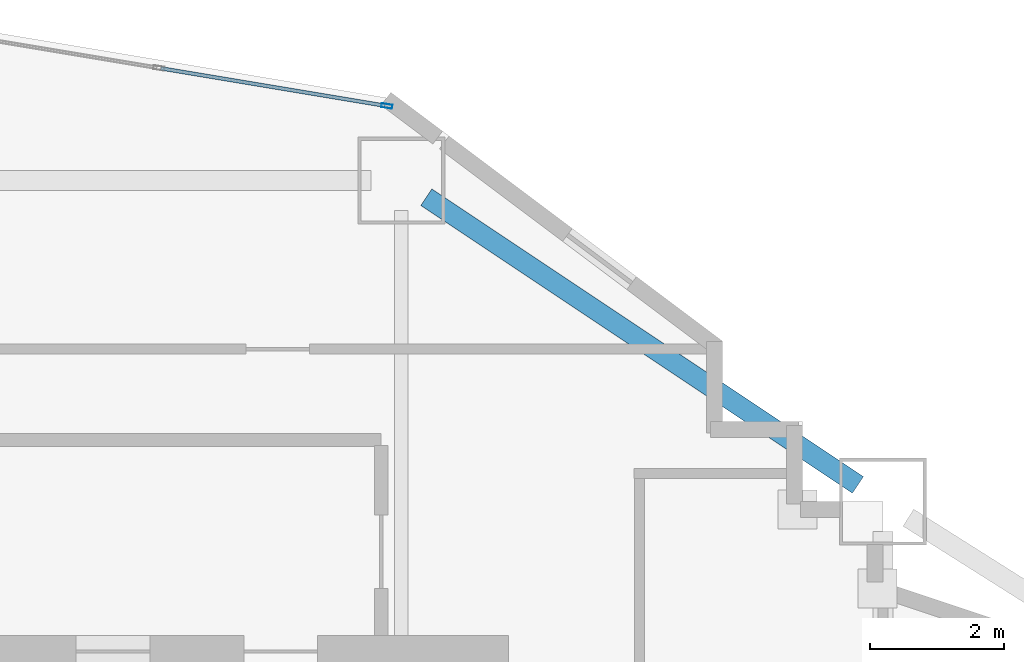
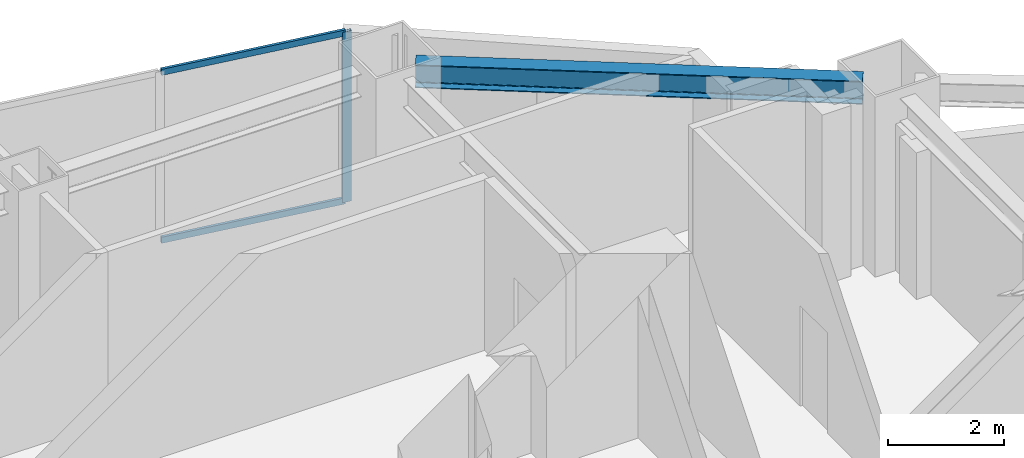
# One storey, part 5 of 17: 3 members, 1 beam, 1 element without a shape of its own.
"""IFC4 building model written with IfcOpenShell, lengths in metres."""

from ifc_helpers import new_model, si_unit, direction, frame, origin, origin_2d, place, context, subcontext, project, spatial, hollow_rectangle, i_section, extrude, material, layer, layer_set, material_profile, profile_set, type_object, element, aggregate, save


model = new_model("IFC4")

# Units and contexts
model_context = context("Model", 3, precision=1e-05, world=origin(), true_north=direction((0.0, 1.0)))
body_context = subcontext(model_context, "Body", "Model", "MODEL_VIEW")
ifc_project = project(units=[si_unit("LENGTHUNIT", "METRE"), si_unit("AREAUNIT", "SQUARE_METRE"), si_unit("VOLUMEUNIT", "CUBIC_METRE"), si_unit("PLANEANGLEUNIT", "RADIAN"), si_unit("MASSUNIT", "GRAM", prefix="KILO")], contexts=[model_context])

# Site, building, storey
site_placement = place(None, origin())
site = spatial("IfcSite", under=ifc_project, at=site_placement, CompositionType="ELEMENT")
building_placement = place(site_placement, origin())
building = spatial("IfcBuilding", under=site, at=building_placement, Name="Haolan Belvedere Tower", CompositionType="ELEMENT")
storey_placement = place(building_placement, frame((0.0, 0.0, 31.60009765625)))
storey = spatial("IfcBuildingStorey", under=building, at=storey_placement, Name="L07", CompositionType="ELEMENT", Elevation=31.60009765625)

# Beam
ifc_material_1 = material(Name="Steel Q355B", Category="steel")
ifc_material_profile_1 = material_profile(ifc_material_1, i_section(OverallWidth=0.300048828125, OverallDepth=0.488037109375, WebThickness=0.010986328125, FlangeThickness=0.01806640625, FilletRadius=0.02587890625, at=origin_2d()), Name="Steel Q355B")
ifc_profile_set_1 = profile_set([ifc_material_profile_1], Name="Steel Q355B")
beam_type = type_object("IfcBeamType", Name="BM-HM488x300x11x18", PredefinedType="SPANDREL", material=ifc_profile_set_1)
beam_placement = place(storey_placement, frame((45.974365234375, 50.150390625, 3.35595703125), z_axis=(0.832050294338, -0.554700196225, 0.0), x_axis=(0.554700196225, 0.832050294338, 0.0)))
element("IfcBeam", 1, at=beam_placement, inside=storey, type_object=beam_type, Name="L07 spandrel girder MC-T3-N2-MC-T3-NE", PredefinedType="SPANDREL", context=body_context, shape_type="SweptSolid", body=[
    extrude(i_section(OverallWidth=0.300048828125, OverallDepth=0.488037109375, WebThickness=0.010986328125, FlangeThickness=0.01806640625, FilletRadius=0.02587890625, at=origin_2d()), origin(), (0.0, 0.0, 1.0), 7.75341796875),
])

# Curtain wall, members
ifc_material_2 = material(Name="Anodised champagne-silver aluminium 6063-T6 and Low-E glass", Category="aluminium")
ifc_layer = layer(ifc_material_2, 0.1650390625, Name="Anodised champagne-silver aluminium 6063-T6 and Low-E glass")
ifc_layer_set = layer_set([ifc_layer], Name="Anodised champagne-silver aluminium 6063-T6 and Low-E glass")
curtain_wall_type = type_object("IfcCurtainWallType", Name="CW-SYS-02", PredefinedType="NOTDEFINED", material=ifc_layer_set)
curtain_wall_placement = place(storey_placement, origin())
curtain_wall = element("IfcCurtainWall", 2, at=curtain_wall_placement, inside=storey, type_object=curtain_wall_type, Name="L07 CW-SYS-02 ribbon curtain wall 42.1", PredefinedType="NOTDEFINED")
ifc_material_3 = material(Name="Anodised aluminium 6063-T6", Category="aluminium")
ifc_material_profile_2 = material_profile(ifc_material_3, hollow_rectangle(XDim=0.06005859375, YDim=0.1650390625, WallThickness=0.00390625, at=origin_2d()), Name="Anodised aluminium 6063-T6")
ifc_profile_set_2 = profile_set([ifc_material_profile_2], Name="Anodised aluminium 6063-T6")
member_type_1 = type_object("IfcMemberType", Name="CW-SYS-02-MUL", PredefinedType="MULLION", material=ifc_profile_set_2)
member_1_placement = place(storey_placement, frame((45.3837890625, 51.514404296875, 0.0), z_axis=(0.0, 0.0, 1.0), x_axis=(-0.16440364043, -0.9863931483, 0.0)))
member_1 = element("IfcMember", 3, at=member_1_placement, type_object=member_type_1, Name="CW-02 mullion 1", PredefinedType="MULLION", context=body_context, shape_type="SweptSolid", body=[
    extrude(hollow_rectangle(XDim=0.06005859375, YDim=0.1650390625, WallThickness=0.00390625, at=origin_2d()), origin(), (0.0, 0.0, 1.0), 3.599853515625),
])
ifc_material_profile_3 = material_profile(ifc_material_3, hollow_rectangle(XDim=0.054931640625, YDim=0.1298828125, WallThickness=0.00390625, at=origin_2d()), Name="Anodised aluminium 6063-T6")
ifc_profile_set_3 = profile_set([ifc_material_profile_3], Name="Anodised aluminium 6063-T6")
member_type_2 = type_object("IfcMemberType", Name="CW-SYS-02-TRN", PredefinedType="USERDEFINED", material=ifc_profile_set_3)
member_2_placement = place(storey_placement, frame((45.35400390625, 51.519287109375, 0.02734375), z_axis=(-0.986393923832, 0.164398987305, 0.0), x_axis=(-0.164398987305, -0.986393923832, 0.0)))
member_2 = element("IfcMember", 4, at=member_2_placement, type_object=member_type_2, Name="CW-02 transom 1.1", ObjectType="TRANSOM", PredefinedType="USERDEFINED", context=body_context, shape_type="SweptSolid", body=[
    extrude(hollow_rectangle(XDim=0.054931640625, YDim=0.1298828125, WallThickness=0.00390625, at=origin_2d()), origin(), (0.0, 0.0, 1.0), 3.394775390625),
])
member_3_placement = place(storey_placement, frame((45.35400390625, 51.519287109375, 3.572509765625), z_axis=(-0.986393923832, 0.164398987305, 0.0), x_axis=(-0.164398987305, -0.986393923832, 0.0)))
member_3 = element("IfcMember", 5, at=member_3_placement, type_object=member_type_2, Name="CW-02 transom 1.2", ObjectType="TRANSOM", PredefinedType="USERDEFINED", context=body_context, shape_type="SweptSolid", body=[
    extrude(hollow_rectangle(XDim=0.054931640625, YDim=0.1298828125, WallThickness=0.00390625, at=origin_2d()), origin(), (0.0, 0.0, 1.0), 3.394775390625),
])
aggregate(curtain_wall, [member_1, member_2, member_3])

save(model, "model.ifc")
